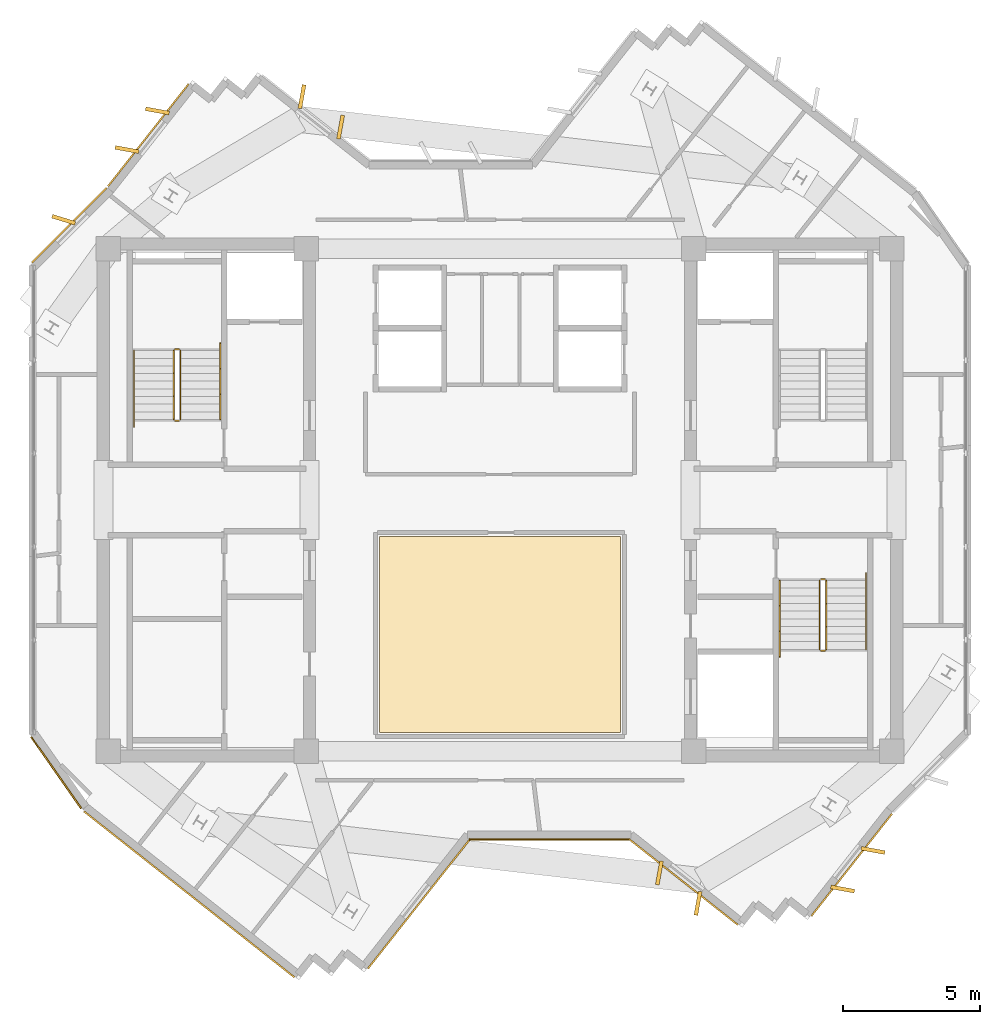
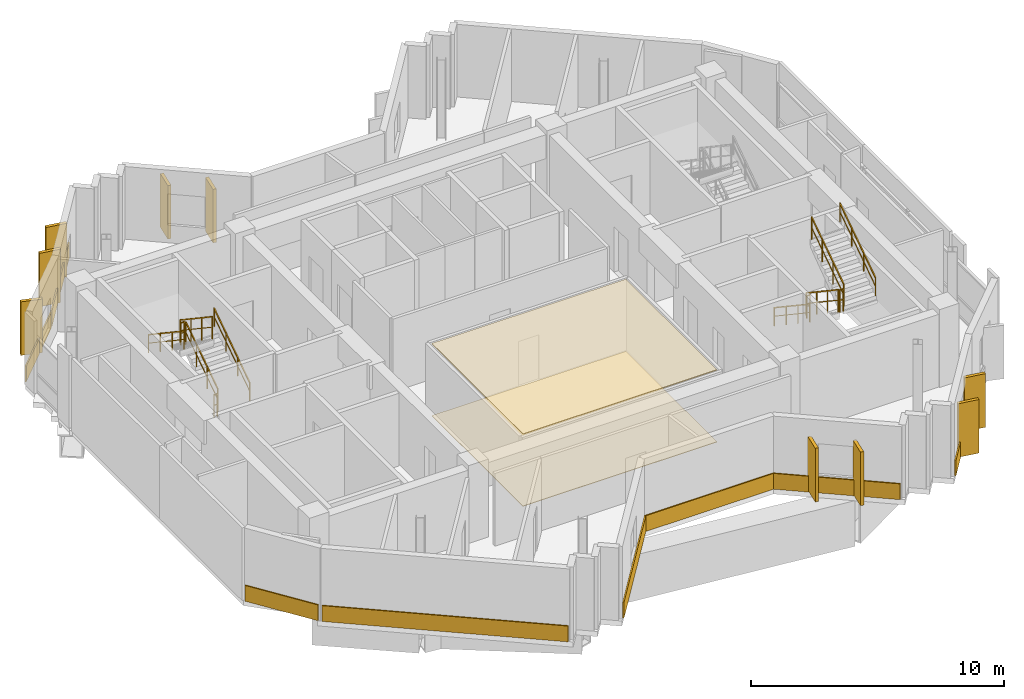
# One storey, part 9 of 10: 19 coverings, 12 railings.
"""IFC4 building model written with IfcOpenShell, lengths in metres."""

from ifc_helpers import new_model, si_unit, direction, frame, origin, origin_2d, place, context, subcontext, project, spatial, polyline, rectangle, outline, extrude, source, transform, mapped, material, layer, layer_set, type_object, element, save


model = new_model("IFC4")

# Units and contexts
model_context = context("Model", 3, precision=1e-05, world=origin(), true_north=direction((0.0, 1.0)))
body_context = subcontext(model_context, "Body", "Model", "MODEL_VIEW")
ifc_project = project(units=[si_unit("LENGTHUNIT", "METRE"), si_unit("AREAUNIT", "SQUARE_METRE"), si_unit("VOLUMEUNIT", "CUBIC_METRE"), si_unit("PLANEANGLEUNIT", "RADIAN"), si_unit("MASSUNIT", "GRAM", prefix="KILO")], contexts=[model_context])

# Site, building, storey
site_placement = place(None, origin())
site = spatial("IfcSite", under=ifc_project, at=site_placement, CompositionType="ELEMENT")
building_placement = place(site_placement, origin())
building = spatial("IfcBuilding", under=site, at=building_placement, Name="Zahravan Cultural Tower", CompositionType="ELEMENT")
storey_placement = place(building_placement, frame((0.0, 0.0, 319.800048828125)))
storey = spatial("IfcBuildingStorey", under=building, at=storey_placement, Name="L77", CompositionType="ELEMENT", Elevation=319.800048828125)

# Coverings
ifc_material_1 = material(Name="Acoustic mineral fibreboard")
ifc_layer_1 = layer(ifc_material_1, 0.0400390625)
ifc_layer_set_1 = layer_set([ifc_layer_1], Name="Acoustic mineral fibreboard")
covering_type_1 = type_object("IfcCoveringType", Name="COV-CEIL-AC20", PredefinedType="CEILING", material=ifc_layer_set_1)
covering_1_placement = place(storey_placement, frame((0.0, 0.0, 3.4599609375)))
element("IfcCovering", 1, at=covering_1_placement, inside=storey, type_object=covering_type_1, Name="L77 Acoustic Suspended Ceiling", PredefinedType="CEILING", context=body_context, shape_type="SweptSolid", body=[
    extrude(outline(polyline([(40.419921875, 25.669921875), (31.580078125, 25.669921875), (31.580078125, 18.47998046875), (40.419921875, 18.47998046875), (40.419921875, 25.669921875)])), origin(), (0.0, 0.0, 1.0), 0.0400390625),
])
ifc_material_2 = material(Name="Terrazzo flooring")
ifc_layer_2 = layer(ifc_material_2, 0.02490234375)
ifc_layer_set_2 = layer_set([ifc_layer_2], Name="Terrazzo flooring")
covering_type_2 = type_object("IfcCoveringType", Name="COV-FLR-TZ25", PredefinedType="FLOORING", material=ifc_layer_set_2)
covering_2_placement = place(storey_placement, origin())
element("IfcCovering", 2, at=covering_2_placement, inside=storey, type_object=covering_type_2, Name="L77 Polished Terrazzo Flooring", PredefinedType="FLOORING", context=body_context, shape_type="SweptSolid", body=[
    extrude(outline(polyline([(40.419921875, 25.669921875), (31.580078125, 25.669921875), (31.580078125, 18.47998046875), (40.419921875, 18.47998046875), (40.419921875, 25.669921875)])), origin(), (0.0, 0.0, 1.0), 0.02490234375),
])

# Railings
ifc_material_3 = material(Name="Steel ASTM A572 Grade 50", Category="steel")
railing_type_1 = type_object("IfcRailingType", Name="RL-STAIR-GRD1150", PredefinedType="BALUSTRADE", material=ifc_material_3)
railing_1_placement = place(storey_placement, frame((24.300048828125, 29.949951171875, 0.1875)))
element("IfcRailing", 3, at=railing_1_placement, inside=storey, type_object=railing_type_1, Name="L77 ST-W1 stair guard 1", PredefinedType="BALUSTRADE", context=body_context, shape_type="SweptSolid", body=[
    extrude(rectangle(XDim=0.05, YDim=0.05, at=origin_2d()), frame((0.0, 0.0, 1.0751953125), z_axis=(0.0, 0.830909170722, 0.55640807867), x_axis=(-1.0, 0.0, 0.0)), (0.0, 0.0, 1.0), 3.032958984375),
    extrude(rectangle(XDim=0.032, YDim=0.032, at=origin_2d()), frame((0.0, 0.0, 0.572021484375), z_axis=(0.0, 0.830909170722, 0.55640807867), x_axis=(-1.0, 0.0, 0.0)), (0.0, 0.0, 1.0), 3.032958984375),
    extrude(rectangle(XDim=0.04, YDim=0.04, at=origin_2d()), origin(), (0.0, 0.0, 1.0), 1.10009765625),
    extrude(rectangle(XDim=0.04, YDim=0.04, at=origin_2d()), frame((0.0, 0.840087890625, 0.5625)), (0.0, 0.0, 1.0), 1.10009765625),
    extrude(rectangle(XDim=0.04, YDim=0.04, at=origin_2d()), frame((0.0, 1.679931640625, 1.125)), (0.0, 0.0, 1.0), 1.10009765625),
    extrude(rectangle(XDim=0.04, YDim=0.04, at=origin_2d()), frame((0.0, 2.52001953125, 1.6875)), (0.0, 0.0, 1.0), 1.10009765625),
])
railing_2_placement = place(storey_placement, frame((24.25, 32.52001953125, 1.875)))
element("IfcRailing", 4, at=railing_2_placement, inside=storey, type_object=railing_type_1, Name="L77 ST-W1 stair guard 2", PredefinedType="BALUSTRADE", context=body_context, shape_type="SweptSolid", body=[
    extrude(rectangle(XDim=0.05, YDim=0.05, at=origin_2d()), frame((0.0, 0.0, 1.0751953125), z_axis=(-1.0, 0.0, 0.0), x_axis=(0.0, -1.0, 0.0)), (0.0, 0.0, 1.0), 0.14990234375),
    extrude(rectangle(XDim=0.032, YDim=0.032, at=origin_2d()), frame((0.0, 0.0, 0.572021484375), z_axis=(-1.0, 0.0, 0.0), x_axis=(0.0, -1.0, 0.0)), (0.0, 0.0, 1.0), 0.14990234375),
    extrude(rectangle(XDim=0.04, YDim=0.04, at=origin_2d()), origin(), (0.0, 0.0, 1.0), 1.10009765625),
    extrude(rectangle(XDim=0.04, YDim=0.04, at=origin_2d()), frame((-0.14990234375, 0.0, 0.0)), (0.0, 0.0, 1.0), 1.10009765625),
])
railing_3_placement = place(storey_placement, frame((24.050048828125, 32.469970703125, 2.0625)))
element("IfcRailing", 5, at=railing_3_placement, inside=storey, type_object=railing_type_1, Name="L77 ST-W1 stair guard 3", PredefinedType="BALUSTRADE", context=body_context, shape_type="SweptSolid", body=[
    extrude(rectangle(XDim=0.05, YDim=0.05, at=origin_2d()), frame((0.0, 0.0, 1.0751953125), z_axis=(0.0, -0.830909170722, 0.55640807867), x_axis=(1.0, 0.0, 0.0)), (0.0, 0.0, 1.0), 3.032958984375),
    extrude(rectangle(XDim=0.032, YDim=0.032, at=origin_2d()), frame((0.0, 0.0, 0.572021484375), z_axis=(0.0, -0.830909170722, 0.55640807867), x_axis=(1.0, 0.0, 0.0)), (0.0, 0.0, 1.0), 3.032958984375),
    extrude(rectangle(XDim=0.04, YDim=0.04, at=origin_2d()), origin(), (0.0, 0.0, 1.0), 1.10009765625),
    extrude(rectangle(XDim=0.04, YDim=0.04, at=origin_2d()), frame((0.0, -0.840087890625, 0.5625)), (0.0, 0.0, 1.0), 1.10009765625),
    extrude(rectangle(XDim=0.04, YDim=0.04, at=origin_2d()), frame((0.0, -1.679931640625, 1.125)), (0.0, 0.0, 1.0), 1.10009765625),
    extrude(rectangle(XDim=0.04, YDim=0.04, at=origin_2d()), frame((0.0, -2.52001953125, 1.6875)), (0.0, 0.0, 1.0), 1.10009765625),
])
railing_4_placement = place(storey_placement, frame((24.25, 29.89990234375, 0.0)))
element("IfcRailing", 6, at=railing_4_placement, inside=storey, type_object=railing_type_1, Name="L77 ST-W1 stair guard 4", PredefinedType="BALUSTRADE", context=body_context, shape_type="SweptSolid", body=[
    extrude(rectangle(XDim=0.05, YDim=0.05, at=origin_2d()), frame((0.0, 0.0, 1.0751953125), z_axis=(-1.0, 0.0, 0.0), x_axis=(0.0, -1.0, 0.0)), (0.0, 0.0, 1.0), 0.14990234375),
    extrude(rectangle(XDim=0.032, YDim=0.032, at=origin_2d()), frame((0.0, 0.0, 0.572021484375), z_axis=(-1.0, 0.0, 0.0), x_axis=(0.0, -1.0, 0.0)), (0.0, 0.0, 1.0), 0.14990234375),
    extrude(rectangle(XDim=0.04, YDim=0.04, at=origin_2d()), origin(), (0.0, 0.0, 1.0), 1.10009765625),
    extrude(rectangle(XDim=0.04, YDim=0.04, at=origin_2d()), frame((-0.14990234375, 0.0, 0.0)), (0.0, 0.0, 1.0), 1.10009765625),
])
railing_5_placement = place(storey_placement, frame((47.699951171875, 24.050048828125, 0.1875)))
element("IfcRailing", 7, at=railing_5_placement, inside=storey, type_object=railing_type_1, Name="L77 ST-E2 stair guard 1", PredefinedType="BALUSTRADE", context=body_context, shape_type="SweptSolid", body=[
    extrude(rectangle(XDim=0.05, YDim=0.05, at=origin_2d()), frame((0.0, 0.0, 1.0751953125), z_axis=(0.0, -0.830909170722, 0.55640807867), x_axis=(1.0, 0.0, 0.0)), (0.0, 0.0, 1.0), 3.032958984375),
    extrude(rectangle(XDim=0.032, YDim=0.032, at=origin_2d()), frame((0.0, 0.0, 0.572021484375), z_axis=(0.0, -0.830909170722, 0.55640807867), x_axis=(1.0, 0.0, 0.0)), (0.0, 0.0, 1.0), 3.032958984375),
    extrude(rectangle(XDim=0.04, YDim=0.04, at=origin_2d()), origin(), (0.0, 0.0, 1.0), 1.10009765625),
    extrude(rectangle(XDim=0.04, YDim=0.04, at=origin_2d()), frame((0.0, -0.840087890625, 0.5625)), (0.0, 0.0, 1.0), 1.10009765625),
    extrude(rectangle(XDim=0.04, YDim=0.04, at=origin_2d()), frame((0.0, -1.679931640625, 1.125)), (0.0, 0.0, 1.0), 1.10009765625),
    extrude(rectangle(XDim=0.04, YDim=0.04, at=origin_2d()), frame((0.0, -2.52001953125, 1.6875)), (0.0, 0.0, 1.0), 1.10009765625),
])
railing_6_placement = place(storey_placement, frame((47.75, 21.47998046875, 1.875)))
element("IfcRailing", 8, at=railing_6_placement, inside=storey, type_object=railing_type_1, Name="L77 ST-E2 stair guard 2", PredefinedType="BALUSTRADE", context=body_context, shape_type="SweptSolid", body=[
    extrude(rectangle(XDim=0.05, YDim=0.05, at=origin_2d()), frame((0.0, 0.0, 1.0751953125), z_axis=(1.0, 0.0, 0.0), x_axis=(0.0, 1.0, 0.0)), (0.0, 0.0, 1.0), 0.14990234375),
    extrude(rectangle(XDim=0.032, YDim=0.032, at=origin_2d()), frame((0.0, 0.0, 0.572021484375), z_axis=(1.0, 0.0, 0.0), x_axis=(0.0, 1.0, 0.0)), (0.0, 0.0, 1.0), 0.14990234375),
    extrude(rectangle(XDim=0.04, YDim=0.04, at=origin_2d()), origin(), (0.0, 0.0, 1.0), 1.10009765625),
    extrude(rectangle(XDim=0.04, YDim=0.04, at=origin_2d()), frame((0.14990234375, 0.0, 0.0)), (0.0, 0.0, 1.0), 1.10009765625),
])
railing_7_placement = place(storey_placement, frame((47.949951171875, 21.530029296875, 2.0625)))
element("IfcRailing", 9, at=railing_7_placement, inside=storey, type_object=railing_type_1, Name="L77 ST-E2 stair guard 3", PredefinedType="BALUSTRADE", context=body_context, shape_type="SweptSolid", body=[
    extrude(rectangle(XDim=0.05, YDim=0.05, at=origin_2d()), frame((0.0, 0.0, 1.0751953125), z_axis=(0.0, 0.830909170722, 0.55640807867), x_axis=(-1.0, 0.0, 0.0)), (0.0, 0.0, 1.0), 3.032958984375),
    extrude(rectangle(XDim=0.032, YDim=0.032, at=origin_2d()), frame((0.0, 0.0, 0.572021484375), z_axis=(0.0, 0.830909170722, 0.55640807867), x_axis=(-1.0, 0.0, 0.0)), (0.0, 0.0, 1.0), 3.032958984375),
    extrude(rectangle(XDim=0.04, YDim=0.04, at=origin_2d()), origin(), (0.0, 0.0, 1.0), 1.10009765625),
    extrude(rectangle(XDim=0.04, YDim=0.04, at=origin_2d()), frame((0.0, 0.840087890625, 0.5625)), (0.0, 0.0, 1.0), 1.10009765625),
    extrude(rectangle(XDim=0.04, YDim=0.04, at=origin_2d()), frame((0.0, 1.679931640625, 1.125)), (0.0, 0.0, 1.0), 1.10009765625),
    extrude(rectangle(XDim=0.04, YDim=0.04, at=origin_2d()), frame((0.0, 2.52001953125, 1.6875)), (0.0, 0.0, 1.0), 1.10009765625),
])
railing_8_placement = place(storey_placement, frame((47.75, 24.10009765625, 0.0)))
element("IfcRailing", 10, at=railing_8_placement, inside=storey, type_object=railing_type_1, Name="L77 ST-E2 stair guard 4", PredefinedType="BALUSTRADE", context=body_context, shape_type="SweptSolid", body=[
    extrude(rectangle(XDim=0.05, YDim=0.05, at=origin_2d()), frame((0.0, 0.0, 1.0751953125), z_axis=(1.0, 0.0, 0.0), x_axis=(0.0, 1.0, 0.0)), (0.0, 0.0, 1.0), 0.14990234375),
    extrude(rectangle(XDim=0.032, YDim=0.032, at=origin_2d()), frame((0.0, 0.0, 0.572021484375), z_axis=(1.0, 0.0, 0.0), x_axis=(0.0, 1.0, 0.0)), (0.0, 0.0, 1.0), 0.14990234375),
    extrude(rectangle(XDim=0.04, YDim=0.04, at=origin_2d()), origin(), (0.0, 0.0, 1.0), 1.10009765625),
    extrude(rectangle(XDim=0.04, YDim=0.04, at=origin_2d()), frame((0.14990234375, 0.0, 0.0)), (0.0, 0.0, 1.0), 1.10009765625),
])
railing_type_2 = type_object("IfcRailingType", Name="RL-STAIR-HR900", PredefinedType="HANDRAIL", material=ifc_material_3)
railing_9_placement = place(storey_placement, frame((25.75, 29.949951171875, 0.1875)))
element("IfcRailing", 11, at=railing_9_placement, inside=storey, type_object=railing_type_2, Name="L77 ST-W1 stair handrail 1", PredefinedType="HANDRAIL", context=body_context, shape_type="SweptSolid", body=[
    extrude(rectangle(XDim=0.05, YDim=0.05, at=origin_2d()), frame((0.0, 0.0, 0.875), z_axis=(0.0, 0.830911662861, 0.55640435703), x_axis=(-1.0, 0.0, 0.0)), (0.0, 0.0, 1.0), 3.369873046875),
    extrude(rectangle(XDim=0.032, YDim=0.032, at=origin_2d()), frame((0.0, 0.0, 0.468017578125), z_axis=(0.0, 0.830911662861, 0.55640435703), x_axis=(-1.0, 0.0, 0.0)), (0.0, 0.0, 1.0), 3.369873046875),
    extrude(rectangle(XDim=0.04, YDim=0.04, at=origin_2d()), origin(), (0.0, 0.0, 1.0), 0.89990234375),
    extrude(rectangle(XDim=0.04, YDim=0.04, at=origin_2d()), frame((0.0, 0.933349609375, 0.625)), (0.0, 0.0, 1.0), 0.89990234375),
    extrude(rectangle(XDim=0.04, YDim=0.04, at=origin_2d()), frame((0.0, 1.86669921875, 1.25)), (0.0, 0.0, 1.0), 0.89990234375),
    extrude(rectangle(XDim=0.04, YDim=0.04, at=origin_2d()), frame((0.0, 2.800048828125, 1.875)), (0.0, 0.0, 1.0), 0.89990234375),
])
for number, where, name in (
    (12, (22.60009765625, 32.469970703125, 2.0625), "L77 ST-W1 stair handrail 2"),
    (13, (46.25, 24.050048828125, 0.1875), "L77 ST-E2 stair handrail 1"),
):
    element("IfcRailing", number, at=place(storey_placement, frame(where)), inside=storey, type_object=railing_type_2, Name=name, PredefinedType="HANDRAIL", context=body_context, shape_type="SweptSolid", body=[
        extrude(rectangle(XDim=0.05, YDim=0.05, at=origin_2d()), frame((0.0, 0.0, 0.875), z_axis=(0.0, -0.830911662861, 0.55640435703), x_axis=(1.0, 0.0, 0.0)), (0.0, 0.0, 1.0), 3.369873046875),
        extrude(rectangle(XDim=0.032, YDim=0.032, at=origin_2d()), frame((0.0, 0.0, 0.468017578125), z_axis=(0.0, -0.830911662861, 0.55640435703), x_axis=(1.0, 0.0, 0.0)), (0.0, 0.0, 1.0), 3.369873046875),
        extrude(rectangle(XDim=0.04, YDim=0.04, at=origin_2d()), origin(), (0.0, 0.0, 1.0), 0.89990234375),
        extrude(rectangle(XDim=0.04, YDim=0.04, at=origin_2d()), frame((0.0, -0.933349609375, 0.625)), (0.0, 0.0, 1.0), 0.89990234375),
        extrude(rectangle(XDim=0.04, YDim=0.04, at=origin_2d()), frame((0.0, -1.86669921875, 1.25)), (0.0, 0.0, 1.0), 0.89990234375),
        extrude(rectangle(XDim=0.04, YDim=0.04, at=origin_2d()), frame((0.0, -2.800048828125, 1.875)), (0.0, 0.0, 1.0), 0.89990234375),
    ])
railing_10_placement = place(storey_placement, frame((49.39990234375, 21.530029296875, 2.0625)))
element("IfcRailing", 14, at=railing_10_placement, inside=storey, type_object=railing_type_2, Name="L77 ST-E2 stair handrail 2", PredefinedType="HANDRAIL", context=body_context, shape_type="SweptSolid", body=[
    extrude(rectangle(XDim=0.05, YDim=0.05, at=origin_2d()), frame((0.0, 0.0, 0.875), z_axis=(0.0, 0.830911662861, 0.55640435703), x_axis=(-1.0, 0.0, 0.0)), (0.0, 0.0, 1.0), 3.369873046875),
    extrude(rectangle(XDim=0.032, YDim=0.032, at=origin_2d()), frame((0.0, 0.0, 0.468017578125), z_axis=(0.0, 0.830911662861, 0.55640435703), x_axis=(-1.0, 0.0, 0.0)), (0.0, 0.0, 1.0), 3.369873046875),
    extrude(rectangle(XDim=0.04, YDim=0.04, at=origin_2d()), origin(), (0.0, 0.0, 1.0), 0.89990234375),
    extrude(rectangle(XDim=0.04, YDim=0.04, at=origin_2d()), frame((0.0, 0.933349609375, 0.625)), (0.0, 0.0, 1.0), 0.89990234375),
    extrude(rectangle(XDim=0.04, YDim=0.04, at=origin_2d()), frame((0.0, 1.86669921875, 1.25)), (0.0, 0.0, 1.0), 0.89990234375),
    extrude(rectangle(XDim=0.04, YDim=0.04, at=origin_2d()), frame((0.0, 2.800048828125, 1.875)), (0.0, 0.0, 1.0), 0.89990234375),
])

# Coverings
ifc_material_4 = material(Name="Terracotta ceramic cladding", Category="masonry")
ifc_layer_3 = layer(ifc_material_4, 0.06005859375)
ifc_layer_set_3 = layer_set([ifc_layer_3], Name="Terracotta ceramic cladding")
covering_type_3 = type_object("IfcCoveringType", Name="COV-CLAD-TC60", PredefinedType="CLADDING", material=ifc_layer_set_3)
shared_shape_1 = source(origin(), body_context, "Body", "SweptSolid", [
    extrude(rectangle(XDim=9.820068359375, YDim=0.06005859375, at=origin_2d()), origin(), (0.0, 0.0, 1.0), 0.760009765625),
])
covering_3_placement = place(storey_placement, frame((24.617919921875, 12.56201171875, 0.02001953125), z_axis=(0.0, 0.0, 1.0), x_axis=(-0.785316930881, 0.61909394931, 0.0)))
element("IfcCovering", 15, at=covering_3_placement, inside=storey, type_object=covering_type_3, Name="L77 Terracotta Spandrel Cladding 29", PredefinedType="CLADDING", context=body_context, shape_type="MappedRepresentation", body=[
    mapped(shared_shape_1, transform((0.0, 0.0, 0.0), x_axis=(1.0, 0.0, 0.0), y_axis=(0.0, 1.0, 0.0), z_axis=(0.0, 0.0, 1.0), scale=1.0)),
])
shared_shape_2 = source(origin(), body_context, "Body", "SweptSolid", [
    extrude(rectangle(XDim=0.8798828125, YDim=0.139892578125, at=origin_2d()), origin(), (0.0, 0.0, 1.0), 2.580078125),
])
for number, where, z_axis, x_axis, name in (
    (16, (20.023193359375, 37.261474609375, 0.0498046875), (0.0, 0.0, 1.0), (-0.956304755963, 0.292371704723, 0.0), "L77 Herringbone Terracotta Fin 01"),
    (17, (22.341796875, 39.83154296875, 0.0498046875), (0.0, 0.0, 1.0), (-0.984040697646, 0.177943545474, 0.0), "L77 Herringbone Terracotta Fin 02"),
    (18, (23.456298828125, 41.2451171875, 0.0498046875), (0.0, 0.0, 1.0), (-0.984040697646, 0.177943545474, 0.0), "L77 Herringbone Terracotta Fin 03"),
    (19, (28.749755859375, 41.769287109375, 0.0498046875), (0.0, 0.0, 1.0), (0.177943545474, 0.984040697646, 0.0), "L77 Herringbone Terracotta Fin 04"),
    (20, (30.163330078125, 40.655029296875, 0.0498046875), (0.0, 0.0, 1.0), (0.177943545474, 0.984040697646, 0.0), "L77 Herringbone Terracotta Fin 05"),
    (21, (49.658203125, 14.16845703125, 0.0498046875), (0.0, 0.0, 1.0), (0.984040697646, -0.177943545474, 0.0), "L77 Herringbone Terracotta Fin 14"),
    (22, (48.543701171875, 12.7548828125, 0.0498046875), (0.0, 0.0, 1.0), (0.984040697646, -0.177943545474, 0.0), "L77 Herringbone Terracotta Fin 15"),
    (23, (43.250244140625, 12.230712890625, 0.0498046875), (0.0, 0.0, 1.0), (-0.177943545474, -0.984040697646, 0.0), "L77 Herringbone Terracotta Fin 16"),
    (24, (41.836669921875, 13.344970703125, 0.0498046875), (0.0, 0.0, 1.0), (-0.177943545474, -0.984040697646, 0.0), "L77 Herringbone Terracotta Fin 17"),
):
    element("IfcCovering", number, at=place(storey_placement, frame(where, z_axis=z_axis, x_axis=x_axis)), inside=storey, type_object=covering_type_3, Name=name, PredefinedType="CLADDING", context=body_context, shape_type="MappedRepresentation", body=[
        mapped(shared_shape_2, transform((0.0, 0.0, 0.0), x_axis=(1.0, 0.0, 0.0), y_axis=(0.0, 1.0, 0.0), z_axis=(0.0, 0.0, 1.0), scale=1.0)),
    ])
shared_shape_3 = source(origin(), body_context, "Body", "SweptSolid", [
    extrude(rectangle(XDim=3.86328125, YDim=0.06005859375, at=origin_2d()), origin(), (0.0, 0.0, 1.0), 0.760009765625),
])
covering_4_placement = place(storey_placement, frame((20.224609375, 37.059814453125, 0.02001953125), z_axis=(0.0, 0.0, 1.0), x_axis=(0.707106781187, 0.707106781187, 0.0)))
element("IfcCovering", 25, at=covering_4_placement, inside=storey, type_object=covering_type_3, Name="L77 Terracotta Spandrel Cladding 01", PredefinedType="CLADDING", context=body_context, shape_type="MappedRepresentation", body=[
    mapped(shared_shape_3, transform((0.0, 0.0, 0.0), x_axis=(1.0, 0.0, 0.0), y_axis=(0.0, 1.0, 0.0), z_axis=(0.0, 0.0, 1.0), scale=1.0)),
])
shared_shape_4 = source(origin(), body_context, "Body", "SweptSolid", [
    extrude(rectangle(XDim=4.77783203125, YDim=0.06005859375, at=origin_2d()), origin(), (0.0, 0.0, 1.0), 0.760009765625),
])
for number, where, z_axis, x_axis, name in (
    (26, (23.122802734375, 40.362060546875, 0.02001953125), (0.0, 0.0, 1.0), (0.61909394931, 0.785316930881, 0.0), "L77 Terracotta Spandrel Cladding 02"),
    (27, (48.877197265625, 13.637939453125, 0.02001953125), (0.0, 0.0, 1.0), (-0.61909394931, -0.785316930881, 0.0), "L77 Terracotta Spandrel Cladding 17"),
):
    element("IfcCovering", number, at=place(storey_placement, frame(where, z_axis=z_axis, x_axis=x_axis)), inside=storey, type_object=covering_type_3, Name=name, PredefinedType="CLADDING", context=body_context, shape_type="MappedRepresentation", body=[
        mapped(shared_shape_4, transform((0.0, 0.0, 0.0), x_axis=(1.0, 0.0, 0.0), y_axis=(0.0, 1.0, 0.0), z_axis=(0.0, 0.0, 1.0), scale=1.0)),
    ])
shared_shape_5 = source(origin(), body_context, "Body", "SweptSolid", [
    extrude(rectangle(XDim=5.065185546875, YDim=0.06005859375, at=origin_2d()), origin(), (0.0, 0.0, 1.0), 0.760009765625),
])
covering_5_placement = place(storey_placement, frame((42.719970703125, 13.01171875, 0.02001953125), z_axis=(0.0, 0.0, 1.0), x_axis=(-0.785316930881, 0.61909394931, 0.0)))
element("IfcCovering", 28, at=covering_5_placement, inside=storey, type_object=covering_type_3, Name="L77 Terracotta Spandrel Cladding 22", PredefinedType="CLADDING", context=body_context, shape_type="MappedRepresentation", body=[
    mapped(shared_shape_5, transform((0.0, 0.0, 0.0), x_axis=(1.0, 0.0, 0.0), y_axis=(0.0, 1.0, 0.0), z_axis=(0.0, 0.0, 1.0), scale=1.0)),
])
shared_shape_6 = source(origin(), body_context, "Body", "SweptSolid", [
    extrude(rectangle(XDim=5.87841796875, YDim=0.06005859375, at=origin_2d()), origin(), (0.0, 0.0, 1.0), 0.760009765625),
])
covering_6_placement = place(storey_placement, frame((37.8046875, 14.574951171875, 0.02001953125), z_axis=(0.0, 0.0, 1.0), x_axis=(-1.0, 0.0, 0.0)))
element("IfcCovering", 29, at=covering_6_placement, inside=storey, type_object=covering_type_3, Name="L77 Terracotta Spandrel Cladding 23", PredefinedType="CLADDING", context=body_context, shape_type="MappedRepresentation", body=[
    mapped(shared_shape_6, transform((0.0, 0.0, 0.0), x_axis=(1.0, 0.0, 0.0), y_axis=(0.0, 1.0, 0.0), z_axis=(0.0, 0.0, 1.0), scale=1.0)),
])
shared_shape_7 = source(origin(), body_context, "Body", "SweptSolid", [
    extrude(rectangle(XDim=6.058837890625, YDim=0.06005859375, at=origin_2d()), origin(), (0.0, 0.0, 1.0), 0.760009765625),
])
covering_7_placement = place(storey_placement, frame((33.038818359375, 12.219482421875, 0.02001953125), z_axis=(0.0, 0.0, 1.0), x_axis=(-0.61909394931, -0.785316930881, 0.0)))
element("IfcCovering", 30, at=covering_7_placement, inside=storey, type_object=covering_type_3, Name="L77 Terracotta Spandrel Cladding 24", PredefinedType="CLADDING", context=body_context, shape_type="MappedRepresentation", body=[
    mapped(shared_shape_7, transform((0.0, 0.0, 0.0), x_axis=(1.0, 0.0, 0.0), y_axis=(0.0, 1.0, 0.0), z_axis=(0.0, 0.0, 1.0), scale=1.0)),
])
shared_shape_8 = source(origin(), body_context, "Body", "SweptSolid", [
    extrude(rectangle(XDim=3.189208984375, YDim=0.06005859375, at=origin_2d()), origin(), (0.0, 0.0, 1.0), 0.760009765625),
])
covering_8_placement = place(storey_placement, frame((19.747314453125, 17.015625, 0.02001953125), z_axis=(0.0, 0.0, 1.0), x_axis=(-0.573033028033, 0.8195322744, 0.0)))
element("IfcCovering", 31, at=covering_8_placement, inside=storey, type_object=covering_type_3, Name="L77 Terracotta Spandrel Cladding 30", PredefinedType="CLADDING", context=body_context, shape_type="MappedRepresentation", body=[
    mapped(shared_shape_8, transform((0.0, 0.0, 0.0), x_axis=(1.0, 0.0, 0.0), y_axis=(0.0, 1.0, 0.0), z_axis=(0.0, 0.0, 1.0), scale=1.0)),
])

save(model, "model.ifc")
